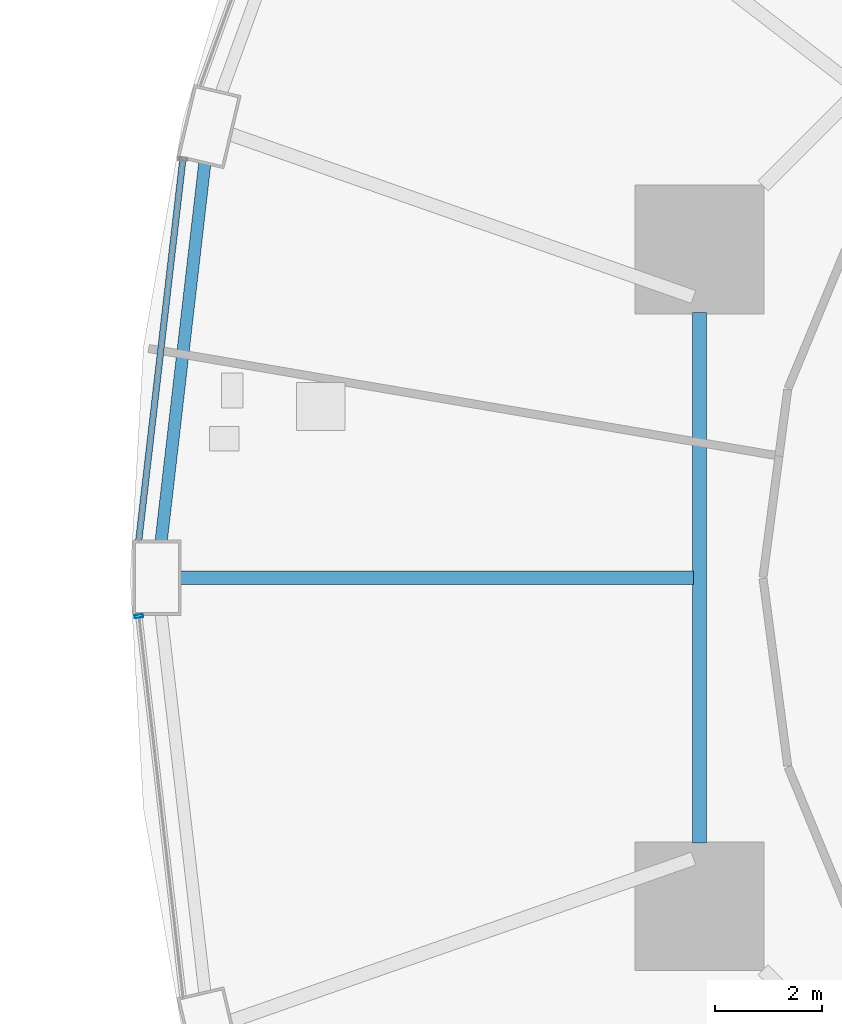
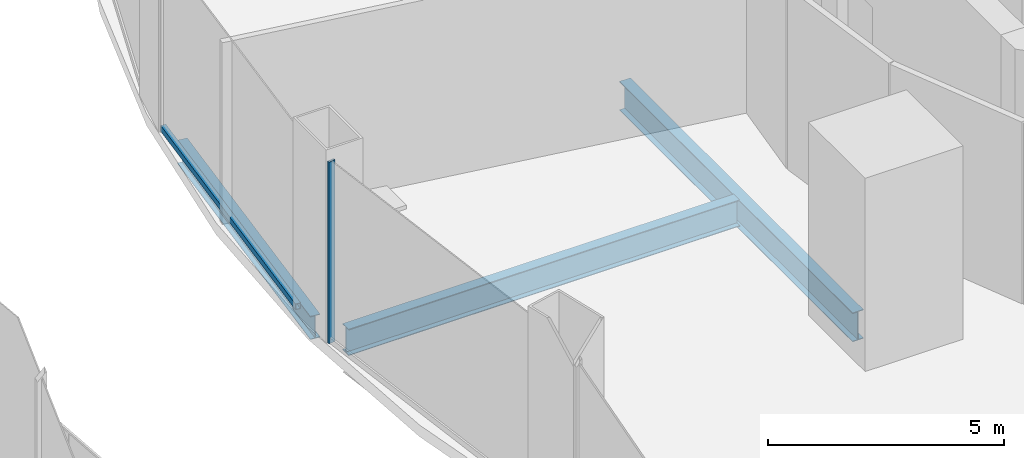
# One storey, part 18 of 47: 3 beams, 2 members, 2 elements without a shape of their own.
"""IFC4 building model written with IfcOpenShell, lengths in metres."""

from ifc_helpers import new_model, si_unit, direction, frame, origin, origin_2d, place, context, subcontext, project, spatial, hollow_rectangle, i_section, extrude, material, layer, layer_set, material_profile, profile_set, type_object, element, aggregate, save


model = new_model("IFC4")

# Units and contexts
model_context = context("Model", 3, precision=1e-05, world=origin(), true_north=direction((0.0, 1.0)))
body_context = subcontext(model_context, "Body", "Model", "MODEL_VIEW")
ifc_project = project(units=[si_unit("LENGTHUNIT", "METRE"), si_unit("AREAUNIT", "SQUARE_METRE"), si_unit("VOLUMEUNIT", "CUBIC_METRE"), si_unit("PLANEANGLEUNIT", "RADIAN"), si_unit("MASSUNIT", "GRAM", prefix="KILO")], contexts=[model_context])

# Site, building, storey
site_placement = place(None, origin())
site = spatial("IfcSite", under=ifc_project, at=site_placement, CompositionType="ELEMENT")
building_placement = place(site_placement, origin())
building = spatial("IfcBuilding", under=site, at=building_placement, Name="Nagisa Residences", CompositionType="ELEMENT")
storey_placement = place(building_placement, frame((0.0, 0.0, 7.0)))
storey = spatial("IfcBuildingStorey", under=building, at=storey_placement, Name="L01", CompositionType="ELEMENT", Elevation=7.0)

# Curtain wall, member
ifc_material_1 = material(Name="Stainless steel curtain wall system", Category="steel")
ifc_layer = layer(ifc_material_1, 0.159912109375)
ifc_layer_set = layer_set([ifc_layer], Name="CW6 CURTAIN WALL")
curtain_wall_type = type_object("IfcCurtainWallType", Name="CW6 CURTAIN WALL", PredefinedType="NOTDEFINED", material=ifc_layer_set)
curtain_wall_1_placement = place(storey_placement, origin())
curtain_wall_1 = element("IfcCurtainWall", 1, at=curtain_wall_1_placement, inside=storey, type_object=curtain_wall_type, Name="cw:CW6:L01:24", PredefinedType="NOTDEFINED")
ifc_material_2 = material(Name="Stainless steel", Category="steel")
ifc_material_profile_1 = material_profile(ifc_material_2, hollow_rectangle(XDim=0.159912109375, YDim=0.06005859375, WallThickness=0.006103515625, at=origin_2d()), Name="CW6 MULLION 160x60")
ifc_profile_set_1 = profile_set([ifc_material_profile_1], Name="Stainless steel")
member_type_1 = type_object("IfcMemberType", Name="CW6 MULLION 160x60", PredefinedType="MULLION", material=ifc_profile_set_1)
member_1_placement = place(storey_placement, frame((-25.236572265625, -0.716064453125, 0.0), z_axis=(0.0, 0.0, 1.0), x_axis=(0.993373823596, 0.114928006139, 0.0)))
member_1 = element("IfcMember", 2, at=member_1_placement, type_object=member_type_1, Name="CW6 mullion", PredefinedType="MULLION", context=body_context, shape_type="SweptSolid", body=[
    extrude(hollow_rectangle(XDim=0.159912109375, YDim=0.06005859375, WallThickness=0.006103515625, at=origin_2d()), origin(), (0.0, 0.0, 1.0), 4.699951171875),
])
aggregate(curtain_wall_1, [member_1])

curtain_wall_2_placement = place(storey_placement, origin())
curtain_wall_2 = element("IfcCurtainWall", 3, at=curtain_wall_2_placement, inside=storey, type_object=curtain_wall_type, Name="cw:CW6:L01:22", PredefinedType="NOTDEFINED")
ifc_material_3 = material(Name="Stainless steel", Category="steel")
ifc_material_profile_2 = material_profile(ifc_material_3, hollow_rectangle(XDim=0.1201171875, YDim=0.14990234375, WallThickness=0.008056640625, at=origin_2d()), Name="CW6 TRANSOM 120x150")
ifc_profile_set_2 = profile_set([ifc_material_profile_2], Name="Stainless steel")
member_type_2 = type_object("IfcMemberType", Name="CW6 TRANSOM 120x150", PredefinedType="USERDEFINED", material=ifc_profile_set_2)
member_2_placement = place(storey_placement, frame((-24.412841796875, 7.83642578125, 0.074951171875), z_axis=(-0.114916347997, -0.993375172311, 0.0), x_axis=(0.993375172311, -0.114916347997, 0.0)))
member_2 = element("IfcMember", 4, at=member_2_placement, type_object=member_type_2, Name="CW6 transom", ObjectType="TRANSOM", PredefinedType="USERDEFINED", context=body_context, shape_type="SweptSolid", body=[
    extrude(hollow_rectangle(XDim=0.1201171875, YDim=0.14990234375, WallThickness=0.008056640625, at=origin_2d()), origin(), (0.0, 0.0, 1.0), 7.19775390625),
])
aggregate(curtain_wall_2, [member_2])

# Beams
ifc_material_4 = material(Name="Steel ASTM A572 Gr 50", Category="steel")
ifc_material_profile_3 = material_profile(ifc_material_4, i_section(OverallWidth=0.264892578125, OverallDepth=0.7529296875, WebThickness=0.01318359375, FlangeThickness=0.01708984375, at=origin_2d()), Name="W760x147")
ifc_profile_set_3 = profile_set([ifc_material_profile_3], Name="Steel ASTM A572 Gr 50")
beam_type_1 = type_object("IfcBeamType", Name="Inner ring beam W760x147", PredefinedType="BEAM", material=ifc_profile_set_3)
beam_1_placement = place(storey_placement, frame((-14.781982421875, 4.94287109375, -0.676513671875), z_axis=(0.0, -1.0, 0.0), x_axis=(1.0, 0.0, 0.0)))
element("IfcBeam", 5, at=beam_1_placement, inside=storey, type_object=beam_type_1, Name="beam:L01:ib4", PredefinedType="BEAM", context=body_context, shape_type="SweptSolid", body=[
    extrude(i_section(OverallWidth=0.264892578125, OverallDepth=0.7529296875, WebThickness=0.01318359375, FlangeThickness=0.01708984375, at=origin_2d()), origin(), (0.0, 0.0, 1.0), 9.8857421875),
])
ifc_material_5 = material(Name="Steel ASTM A572 Gr 50", Category="steel")
ifc_material_profile_4 = material_profile(ifc_material_5, i_section(OverallWidth=0.22802734375, OverallDepth=0.60302734375, WebThickness=0.010498046875, FlangeThickness=0.014892578125, at=origin_2d()), Name="W610x101")
ifc_profile_set_4 = profile_set([ifc_material_profile_4], Name="Steel ASTM A572 Gr 50")
beam_type_2 = type_object("IfcBeamType", Name="Perimeter ring beam W610x101", PredefinedType="BEAM", material=ifc_profile_set_4)
beam_2_placement = place(storey_placement, frame((-24.00732421875, 7.7314453125, -0.6015625), z_axis=(-0.114707660057, -0.993399291687, 0.0), x_axis=(0.993399291687, -0.114707660057, 0.0)))
element("IfcBeam", 6, at=beam_2_placement, inside=storey, type_object=beam_type_2, Name="beam:L01:pb12", PredefinedType="BEAM", context=body_context, shape_type="SweptSolid", body=[
    extrude(i_section(OverallWidth=0.22802734375, OverallDepth=0.60302734375, WebThickness=0.010498046875, FlangeThickness=0.014892578125, at=origin_2d()), origin(), (0.0, 0.0, 1.0), 7.09814453125),
])
ifc_material_6 = material(Name="Steel ASTM A572 Gr 50", Category="steel")
ifc_material_profile_5 = material_profile(ifc_material_6, i_section(OverallWidth=0.25390625, OverallDepth=0.68408203125, WebThickness=0.012451171875, FlangeThickness=0.018798828125, at=origin_2d()), Name="W690x140")
ifc_profile_set_5 = profile_set([ifc_material_profile_5], Name="Steel ASTM A572 Gr 50")
beam_type_3 = type_object("IfcBeamType", Name="Radial beam W690x140", PredefinedType="BEAM", material=ifc_profile_set_5)
beam_3_placement = place(storey_placement, frame((-24.469970703125, 0.0, -0.64208984375), z_axis=(1.0, 0.0, 0.0), x_axis=(0.0, 1.0, 0.0)))
element("IfcBeam", 7, at=beam_3_placement, inside=storey, type_object=beam_type_3, Name="beam:L01:rb13", PredefinedType="BEAM", context=body_context, shape_type="SweptSolid", body=[
    extrude(i_section(OverallWidth=0.25390625, OverallDepth=0.68408203125, WebThickness=0.012451171875, FlangeThickness=0.018798828125, at=origin_2d()), origin(), (0.0, 0.0, 1.0), 9.575439453125),
])

save(model, "model.ifc")
